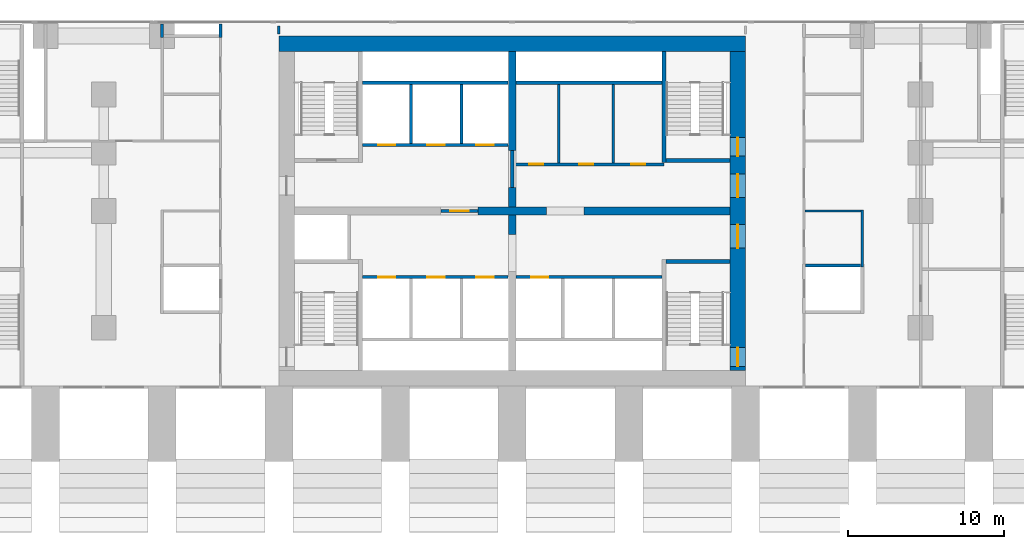
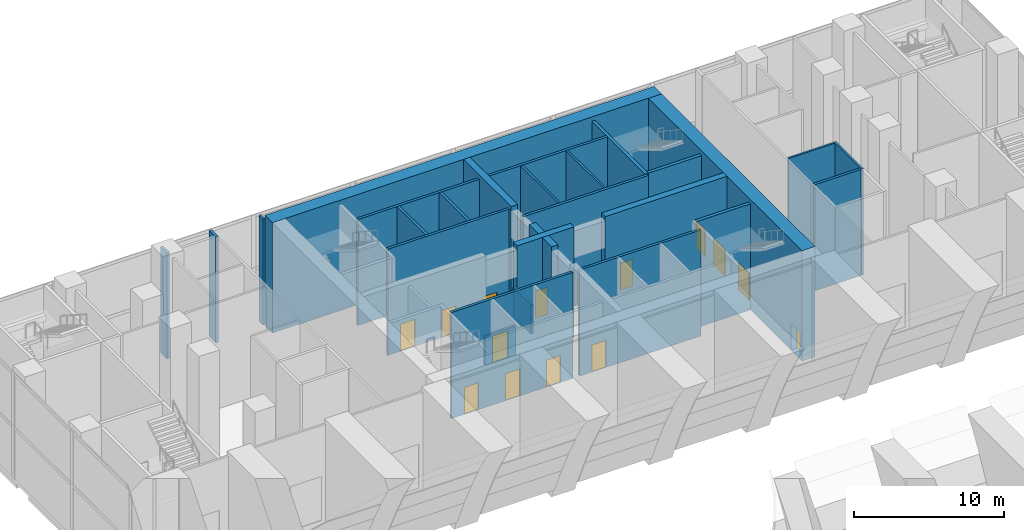
# One storey, part 7 of 14: 28 walls, 15 doors, 15 openings.
"""IFC4 building model written with IfcOpenShell, lengths in metres."""

from ifc_helpers import new_model, si_unit, direction, frame, frame_2d, origin, place, context, subcontext, project, spatial, rectangle, extrude, material, layer, layer_set, type_object, element, fill, save


model = new_model("IFC4")

# Units and contexts
model_context = context("Model", 3, precision=1e-05, world=origin(), true_north=direction((0.0, 1.0)))
body_context = subcontext(model_context, "Body", "Model", "MODEL_VIEW")
ifc_project = project(units=[si_unit("LENGTHUNIT", "METRE"), si_unit("AREAUNIT", "SQUARE_METRE"), si_unit("VOLUMEUNIT", "CUBIC_METRE"), si_unit("PLANEANGLEUNIT", "RADIAN"), si_unit("MASSUNIT", "GRAM", prefix="KILO")], contexts=[model_context])

# Site, building, storey
site_placement = place(None, origin())
site = spatial("IfcSite", under=ifc_project, at=site_placement, CompositionType="ELEMENT")
building_placement = place(site_placement, origin())
building = spatial("IfcBuilding", under=site, at=building_placement, Name="Pilkhan Gate Tower", CompositionType="ELEMENT")
storey_placement = place(building_placement, frame((0.0, 0.0, 7.5)))
storey = spatial("IfcBuildingStorey", under=building, at=storey_placement, Name="L01", CompositionType="ELEMENT", Elevation=7.5)

# Wall, openings, doors
ifc_material_1 = material(Name="Concrete C70/85", Category="concrete")
ifc_layer_1 = layer(ifc_material_1, 1.0)
ifc_layer_set_1 = layer_set([ifc_layer_1], Name="Core wall CW1000 C70/85")
wall_type_1 = type_object("IfcWallType", Name="Core wall CW1000 C70/85", PredefinedType="SHEAR", material=ifc_layer_set_1)
wall_1_placement = place(storey_placement, frame((89.5, 72.25, 0.0), z_axis=(0.0, 0.0, 1.0), x_axis=(0.0, 1.0, 0.0)))
wall_1 = element("IfcWall", 1, at=wall_1_placement, inside=storey, type_object=wall_type_1, Name="Core wall E L01", PredefinedType="SHEAR", context=body_context, shape_type="SweptSolid", body=[
    extrude(rectangle(XDim=20.5, YDim=1.0, at=frame_2d((10.25, 0.0))), origin(), (0.0, 0.0, 1.0), 9.0),
])
opening_1_placement = place(wall_1_placement, frame((0.27490234375, 0.0, 0.0)))
opening_1 = element("IfcOpeningElement", 2, at=opening_1_placement, cuts=wall_1, Name="Opening L01-03", PredefinedType="OPENING", context=body_context, shape_type="SweptSolid", body=[
    extrude(rectangle(XDim=1.199951171875, YDim=2.199951171875, at=frame_2d((0.60009765625, 1.10009765625))), frame((0.0, 0.510009765625, 0.0), z_axis=(0.0, -1.0, 0.0), x_axis=(1.0, 0.0, 0.0)), (0.0, 0.0, 1.0), 1.02001953125),
])
opening_2_placement = place(wall_1_placement, frame((13.77490234375, 0.0, 0.0)))
opening_2 = element("IfcOpeningElement", 3, at=opening_2_placement, cuts=wall_1, Name="Opening L01-05", PredefinedType="OPENING", context=body_context, shape_type="SweptSolid", body=[
    extrude(rectangle(XDim=1.199951171875, YDim=2.199951171875, at=frame_2d((0.60009765625, 1.10009765625))), frame((0.0, 0.510009765625, 0.0), z_axis=(0.0, -1.0, 0.0), x_axis=(1.0, 0.0, 0.0)), (0.0, 0.0, 1.0), 1.02001953125),
])
opening_3_placement = place(wall_1_placement, frame((7.875, 0.0, 0.0)))
opening_3 = element("IfcOpeningElement", 4, at=opening_3_placement, cuts=wall_1, Name="Opening L01-17", PredefinedType="OPENING", context=body_context, shape_type="SweptSolid", body=[
    extrude(rectangle(XDim=1.5, YDim=2.199951171875, at=frame_2d((0.75, 1.10009765625))), frame((0.0, 0.510009765625, 0.0), z_axis=(0.0, -1.0, 0.0), x_axis=(1.0, 0.0, 0.0)), (0.0, 0.0, 1.0), 1.02001953125),
])
opening_4_placement = place(wall_1_placement, frame((11.125, 0.0, 0.0)))
opening_4 = element("IfcOpeningElement", 5, at=opening_4_placement, cuts=wall_1, Name="Opening L01-19", PredefinedType="OPENING", context=body_context, shape_type="SweptSolid", body=[
    extrude(rectangle(XDim=1.5, YDim=2.199951171875, at=frame_2d((0.75, 1.10009765625))), frame((0.0, 0.510009765625, 0.0), z_axis=(0.0, -1.0, 0.0), x_axis=(1.0, 0.0, 0.0)), (0.0, 0.0, 1.0), 1.02001953125),
])
ifc_material_2 = material(Name="Steel framed glazed door, 60 minute fire resisting", Category="steel")
door_type_1 = type_object("IfcDoorType", Name="Lobby door D09 1500x2200", OperationType="DOUBLE_DOOR_SINGLE_SWING", PredefinedType="DOOR", material=ifc_material_2)
door_1_placement = place(opening_3_placement, origin())
door_1 = element("IfcDoor", 6, at=door_1_placement, inside=storey, type_object=door_type_1, Name="Core door", OperationType="DOUBLE_DOOR_SINGLE_SWING", OverallHeight=2.199951171875, OverallWidth=1.5, PredefinedType="DOOR", context=body_context, shape_type="SweptSolid", body=[
    extrude(rectangle(XDim=1.5, YDim=2.199951171875, at=frame_2d((0.75, 1.10009765625))), frame((0.0, 0.02490234375, 0.0), z_axis=(0.0, -1.0, 0.0), x_axis=(1.0, 0.0, 0.0)), (0.0, 0.0, 1.0), 0.050048828125),
])
fill(opening_3, door_1)
door_2_placement = place(opening_4_placement, origin())
door_2 = element("IfcDoor", 7, at=door_2_placement, inside=storey, type_object=door_type_1, Name="Core door", OperationType="DOUBLE_DOOR_SINGLE_SWING", OverallHeight=2.199951171875, OverallWidth=1.5, PredefinedType="DOOR", context=body_context, shape_type="SweptSolid", body=[
    extrude(rectangle(XDim=1.5, YDim=2.199951171875, at=frame_2d((0.75, 1.10009765625))), frame((0.0, 0.02490234375, 0.0), z_axis=(0.0, -1.0, 0.0), x_axis=(1.0, 0.0, 0.0)), (0.0, 0.0, 1.0), 0.050048828125),
])
fill(opening_4, door_2)
ifc_material_3 = material(Name="Steel door, 120 minute fire resisting, panic bar", Category="steel")
door_type_2 = type_object("IfcDoorType", Name="Stair door D11 1200x2200", OperationType="SINGLE_SWING_LEFT", PredefinedType="DOOR", material=ifc_material_3)
door_3_placement = place(opening_1_placement, origin())
door_3 = element("IfcDoor", 8, at=door_3_placement, inside=storey, type_object=door_type_2, Name="Stair ST1 door", OperationType="SINGLE_SWING_RIGHT", OverallHeight=2.199951171875, OverallWidth=1.199951171875, PredefinedType="DOOR", context=body_context, shape_type="SweptSolid", body=[
    extrude(rectangle(XDim=1.199951171875, YDim=2.199951171875, at=frame_2d((0.60009765625, 1.10009765625))), frame((0.0, 0.02490234375, 0.0), z_axis=(0.0, -1.0, 0.0), x_axis=(1.0, 0.0, 0.0)), (0.0, 0.0, 1.0), 0.050048828125),
])
fill(opening_1, door_3)
door_4_placement = place(opening_2_placement, origin())
door_4 = element("IfcDoor", 9, at=door_4_placement, inside=storey, type_object=door_type_2, Name="Stair ST4 door", OperationType="SINGLE_SWING_RIGHT", OverallHeight=2.199951171875, OverallWidth=1.199951171875, PredefinedType="DOOR", context=body_context, shape_type="SweptSolid", body=[
    extrude(rectangle(XDim=1.199951171875, YDim=2.199951171875, at=frame_2d((0.60009765625, 1.10009765625))), frame((0.0, 0.02490234375, 0.0), z_axis=(0.0, -1.0, 0.0), x_axis=(1.0, 0.0, 0.0)), (0.0, 0.0, 1.0), 0.050048828125),
])
fill(opening_2, door_4)

# Wall
wall_2_placement = place(storey_placement, frame((90.0, 93.25, 0.0), z_axis=(0.0, 0.0, 1.0), x_axis=(-1.0, 0.0, 0.0)))
element("IfcWall", 10, at=wall_2_placement, inside=storey, type_object=wall_type_1, Name="Core wall N L01", PredefinedType="SHEAR", context=body_context, shape_type="SweptSolid", body=[
    extrude(rectangle(XDim=30.0, YDim=1.0, at=frame_2d((15.0, 0.0))), origin(), (0.0, 0.0, 1.0), 9.0),
])

# Wall, opening, door
ifc_material_4 = material(Name="Dense blockwork", Category="masonry")
ifc_layer_2 = layer(ifc_material_4, 0.199951171875)
ifc_layer_set_2 = layer_set([ifc_layer_2], Name="Lobby wall LW200")
wall_type_2 = type_object("IfcWallType", Name="Lobby wall LW200", PredefinedType="PARTITIONING", material=ifc_layer_set_2)
wall_3_placement = place(storey_placement, frame((70.409912109375, 82.5, 0.0), z_axis=(0.0, 0.0, 1.0), x_axis=(1.0, 0.0, 0.0)))
wall_3 = element("IfcWall", 11, at=wall_3_placement, inside=storey, type_object=wall_type_2, Name="Partition L01", PredefinedType="PARTITIONING", context=body_context, shape_type="SweptSolid", body=[
    extrude(rectangle(XDim=2.380126953125, YDim=0.199951171875, at=frame_2d((1.18994140625, 0.0))), origin(), (0.0, 0.0, 1.0), 2.39990234375),
])
opening_5_placement = place(wall_3_placement, frame((0.60009765625, 0.0, 0.0)))
opening_5 = element("IfcOpeningElement", 12, at=opening_5_placement, cuts=wall_3, Name="Opening L01-01", PredefinedType="OPENING", context=body_context, shape_type="SweptSolid", body=[
    extrude(rectangle(XDim=1.199951171875, YDim=2.199951171875, at=frame_2d((0.60009765625, 1.10009765625))), frame((0.0, 0.10986328125, 0.0), z_axis=(0.0, -1.0, 0.0), x_axis=(1.0, 0.0, 0.0)), (0.0, 0.0, 1.0), 0.219970703125),
])
ifc_material_5 = material(Name="Steel door, 120 minute fire resisting, self-closing", Category="steel")
door_type_3 = type_object("IfcDoorType", Name="Firefighting lobby door D10 1200x2200", OperationType="SINGLE_SWING_LEFT", PredefinedType="DOOR", material=ifc_material_5)
door_5_placement = place(opening_5_placement, origin())
door_5 = element("IfcDoor", 13, at=door_5_placement, inside=storey, type_object=door_type_3, Name="Firefighting lobby door", OperationType="SINGLE_SWING_RIGHT", OverallHeight=2.199951171875, OverallWidth=1.199951171875, PredefinedType="DOOR", context=body_context, shape_type="SweptSolid", body=[
    extrude(rectangle(XDim=1.199951171875, YDim=2.199951171875, at=frame_2d((0.60009765625, 1.10009765625))), frame((0.0, 0.02490234375, 0.0), z_axis=(0.0, -1.0, 0.0), x_axis=(1.0, 0.0, 0.0)), (0.0, 0.0, 1.0), 0.050048828125),
])
fill(opening_5, door_5)

# Wall, openings, doors
wall_4_placement = place(storey_placement, frame((75.10009765625, 85.5, 0.0), z_axis=(0.0, 0.0, 1.0), x_axis=(1.0, 0.0, 0.0)))
wall_4 = element("IfcWall", 14, at=wall_4_placement, inside=storey, type_object=wall_type_2, Name="Partition L01", PredefinedType="PARTITIONING", context=body_context, shape_type="SweptSolid", body=[
    extrude(rectangle(XDim=9.64990234375, YDim=0.199951171875, at=frame_2d((4.824951171875, 0.0))), origin(), (0.0, 0.0, 1.0), 8.64990234375),
])
opening_6_placement = place(wall_4_placement, frame((1.0, 0.0, 0.0)))
opening_6 = element("IfcOpeningElement", 15, at=opening_6_placement, cuts=wall_4, Name="Opening L01-20", PredefinedType="OPENING", context=body_context, shape_type="SweptSolid", body=[
    extrude(rectangle(XDim=0.89990234375, YDim=2.199951171875, at=frame_2d((0.449951171875, 1.10009765625))), frame((0.0, 0.10986328125, 0.0), z_axis=(0.0, -1.0, 0.0), x_axis=(1.0, 0.0, 0.0)), (0.0, 0.0, 1.0), 0.219970703125),
])
opening_7_placement = place(wall_4_placement, frame((4.199951171875, 0.0, 0.0)))
opening_7 = element("IfcOpeningElement", 16, at=opening_7_placement, cuts=wall_4, Name="Opening L01-21", PredefinedType="OPENING", context=body_context, shape_type="SweptSolid", body=[
    extrude(rectangle(XDim=0.89990234375, YDim=2.199951171875, at=frame_2d((0.449951171875, 1.10009765625))), frame((0.0, 0.10986328125, 0.0), z_axis=(0.0, -1.0, 0.0), x_axis=(1.0, 0.0, 0.0)), (0.0, 0.0, 1.0), 0.219970703125),
])
opening_8_placement = place(wall_4_placement, frame((7.550048828125, 0.0, 0.0)))
opening_8 = element("IfcOpeningElement", 17, at=opening_8_placement, cuts=wall_4, Name="Opening L01-22", PredefinedType="OPENING", context=body_context, shape_type="SweptSolid", body=[
    extrude(rectangle(XDim=0.89990234375, YDim=2.199951171875, at=frame_2d((0.449951171875, 1.10009765625))), frame((0.0, 0.10986328125, 0.0), z_axis=(0.0, -1.0, 0.0), x_axis=(1.0, 0.0, 0.0)), (0.0, 0.0, 1.0), 0.219970703125),
])
ifc_material_6 = material(Name="Timber flush door, 60 minute fire resisting, self-closing", Category="wood")
door_type_4 = type_object("IfcDoorType", Name="Store door D05 900x2200", OperationType="SINGLE_SWING_LEFT", PredefinedType="DOOR", material=ifc_material_6)
door_6_placement = place(opening_7_placement, origin())
door_6 = element("IfcDoor", 18, at=door_6_placement, inside=storey, type_object=door_type_4, Name="Store door", OperationType="SINGLE_SWING_LEFT", OverallHeight=2.199951171875, OverallWidth=0.89990234375, PredefinedType="DOOR", context=body_context, shape_type="SweptSolid", body=[
    extrude(rectangle(XDim=0.89990234375, YDim=2.199951171875, at=frame_2d((0.449951171875, 1.10009765625))), frame((0.0, 0.02490234375, 0.0), z_axis=(0.0, -1.0, 0.0), x_axis=(1.0, 0.0, 0.0)), (0.0, 0.0, 1.0), 0.050048828125),
])
fill(opening_7, door_6)
door_7_placement = place(opening_8_placement, origin())
door_7 = element("IfcDoor", 19, at=door_7_placement, inside=storey, type_object=door_type_4, Name="Store door", OperationType="SINGLE_SWING_LEFT", OverallHeight=2.199951171875, OverallWidth=0.89990234375, PredefinedType="DOOR", context=body_context, shape_type="SweptSolid", body=[
    extrude(rectangle(XDim=0.89990234375, YDim=2.199951171875, at=frame_2d((0.449951171875, 1.10009765625))), frame((0.0, 0.02490234375, 0.0), z_axis=(0.0, -1.0, 0.0), x_axis=(1.0, 0.0, 0.0)), (0.0, 0.0, 1.0), 0.050048828125),
])
fill(opening_8, door_7)
ifc_material_7 = material(Name="Timber flush door, 30 minute fire resisting", Category="wood")
door_type_5 = type_object("IfcDoorType", Name="Toilet door D06 900x2200", OperationType="SINGLE_SWING_LEFT", PredefinedType="DOOR", material=ifc_material_7)
door_8_placement = place(opening_6_placement, origin())
door_8 = element("IfcDoor", 20, at=door_8_placement, inside=storey, type_object=door_type_5, Name="Toilet door", OperationType="SINGLE_SWING_RIGHT", OverallHeight=2.199951171875, OverallWidth=0.89990234375, PredefinedType="DOOR", context=body_context, shape_type="SweptSolid", body=[
    extrude(rectangle(XDim=0.89990234375, YDim=2.199951171875, at=frame_2d((0.449951171875, 1.10009765625))), frame((0.0, 0.02490234375, 0.0), z_axis=(0.0, -1.0, 0.0), x_axis=(1.0, 0.0, 0.0)), (0.0, 0.0, 1.0), 0.050048828125),
])
fill(opening_6, door_8)

# Walls
wall_5_placement = place(storey_placement, frame((75.260009765625, 90.75, 0.0), z_axis=(0.0, 0.0, 1.0), x_axis=(1.0, 0.0, 0.0)))
element("IfcWall", 21, at=wall_5_placement, inside=storey, type_object=wall_type_2, Name="Partition L01", PredefinedType="PARTITIONING", context=body_context, shape_type="SweptSolid", body=[
    extrude(rectangle(XDim=9.364990234375, YDim=0.199951171875, at=frame_2d((4.6826171875, 0.0))), origin(), (0.0, 0.0, 1.0), 8.64990234375),
])
for number, where, z_axis, x_axis, name in (
    (22, (52.5, 93.64990234375, 0.0), (0.0, 0.0, 1.0), (0.0, 1.0, 0.0), "Partition L01"),
    (23, (56.25, 93.64990234375, 0.0), (0.0, 0.0, 1.0), (0.0, 1.0, 0.0), "Partition L01"),
):
    element("IfcWall", number, at=place(storey_placement, frame(where, z_axis=z_axis, x_axis=x_axis)), inside=storey, type_object=wall_type_2, Name=name, PredefinedType="PARTITIONING", context=body_context, shape_type="SweptSolid", body=[
        extrude(rectangle(XDim=0.864990234375, YDim=0.199951171875, at=frame_2d((0.4326171875, 0.0))), origin(), (0.0, 0.0, 1.0), 8.64990234375),
    ])
wall_6_placement = place(storey_placement, frame((75.0, 84.010009765625, 0.0), z_axis=(0.0, 0.0, 1.0), x_axis=(0.0, 1.0, 0.0)))
element("IfcWall", 24, at=wall_6_placement, inside=storey, type_object=wall_type_2, Name="Partition L01", PredefinedType="PARTITIONING", context=body_context, shape_type="SweptSolid", body=[
    extrude(rectangle(XDim=2.3798828125, YDim=0.199951171875, at=frame_2d((1.18994140625, 0.0))), origin(), (0.0, 0.0, 1.0), 2.39990234375),
])
ifc_material_8 = material(Name="Blockwork partition, plastered both sides", Category="masonry")
ifc_layer_3 = layer(ifc_material_8, 0.14990234375)
ifc_layer_set_3 = layer_set([ifc_layer_3], Name="Partition PW150")
wall_type_3 = type_object("IfcWallType", Name="Partition PW150", PredefinedType="PARTITIONING", material=ifc_layer_set_3)
wall_7_placement = place(storey_placement, frame((93.824951171875, 82.5, 0.0), z_axis=(0.0, 0.0, 1.0), x_axis=(1.0, 0.0, 0.0)))
element("IfcWall", 25, at=wall_7_placement, inside=storey, type_object=wall_type_3, Name="Partition L01", PredefinedType="PARTITIONING", context=body_context, shape_type="SweptSolid", body=[
    extrude(rectangle(XDim=3.60009765625, YDim=0.14990234375, at=frame_2d((1.800048828125, 0.0))), origin(), (0.0, 0.0, 1.0), 8.64990234375),
])
wall_8_placement = place(storey_placement, frame((60.0, 93.8701171875, 0.0), z_axis=(0.0, 0.0, 1.0), x_axis=(0.0, 1.0, 0.0)))
element("IfcWall", 26, at=wall_8_placement, inside=storey, type_object=wall_type_3, Name="Partition L01", PredefinedType="PARTITIONING", context=body_context, shape_type="SweptSolid", body=[
    extrude(rectangle(XDim=0.52490234375, YDim=0.14990234375, at=frame_2d((0.262451171875, 0.0))), origin(), (0.0, 0.0, 1.0), 8.64990234375),
])
for number, where, z_axis, x_axis, name in (
    (27, (78.0, 85.60009765625, 0.0), (0.0, 0.0, 1.0), (0.0, 1.0, 0.0), "Partition L01"),
    (28, (81.5, 85.60009765625, 0.0), (0.0, 0.0, 1.0), (0.0, 1.0, 0.0), "Partition L01"),
):
    element("IfcWall", number, at=place(storey_placement, frame(where, z_axis=z_axis, x_axis=x_axis)), inside=storey, type_object=wall_type_3, Name=name, PredefinedType="PARTITIONING", context=body_context, shape_type="SweptSolid", body=[
        extrude(rectangle(XDim=5.0498046875, YDim=0.14990234375, at=frame_2d((2.52490234375, 0.0))), origin(), (0.0, 0.0, 1.0), 8.64990234375),
    ])
wall_9_placement = place(storey_placement, frame((97.5, 78.89990234375, 0.0), z_axis=(0.0, 0.0, 1.0), x_axis=(0.0, 1.0, 0.0)))
element("IfcWall", 29, at=wall_9_placement, inside=storey, type_object=wall_type_3, Name="Partition L01", PredefinedType="PARTITIONING", context=body_context, shape_type="SweptSolid", body=[
    extrude(rectangle(XDim=3.675048828125, YDim=0.14990234375, at=frame_2d((1.83740234375, 0.0))), origin(), (0.0, 0.0, 1.0), 8.64990234375),
])

# Wall, openings, doors
ifc_material_9 = material(Name="Reinforced blockwork shaft wall, 120 minute fire resisting", Category="masonry")
ifc_layer_4 = layer(ifc_material_9, 0.199951171875)
ifc_layer_set_4 = layer_set([ifc_layer_4], Name="Shaft wall SW200")
wall_type_4 = type_object("IfcWallType", Name="Shaft wall SW200", PredefinedType="PARTITIONING", material=ifc_layer_set_4)
wall_10_placement = place(storey_placement, frame((65.375, 78.25, 0.0), z_axis=(0.0, 0.0, 1.0), x_axis=(1.0, 0.0, 0.0)))
wall_10 = element("IfcWall", 30, at=wall_10_placement, inside=storey, type_object=wall_type_4, Name="Partition L01", PredefinedType="PARTITIONING", context=body_context, shape_type="SweptSolid", body=[
    extrude(rectangle(XDim=9.364990234375, YDim=0.199951171875, at=frame_2d((4.6826171875, 0.0))), origin(), (0.0, 0.0, 1.0), 8.64990234375),
])
opening_9_placement = place(wall_10_placement, frame((1.0, 0.0, 0.0)))
opening_9 = element("IfcOpeningElement", 31, at=opening_9_placement, cuts=wall_10, Name="Opening LD", PredefinedType="OPENING", context=body_context, shape_type="SweptSolid", body=[
    extrude(rectangle(XDim=1.10009765625, YDim=2.199951171875, at=frame_2d((0.550048828125, 1.10009765625))), frame((0.0, 0.10986328125, 0.0), z_axis=(0.0, -1.0, 0.0), x_axis=(1.0, 0.0, 0.0)), (0.0, 0.0, 1.0), 0.219970703125),
])
opening_10_placement = place(wall_10_placement, frame((4.175048828125, 0.0, 0.0)))
opening_10 = element("IfcOpeningElement", 32, at=opening_10_placement, cuts=wall_10, Name="Opening LD", PredefinedType="OPENING", context=body_context, shape_type="SweptSolid", body=[
    extrude(rectangle(XDim=1.10009765625, YDim=2.199951171875, at=frame_2d((0.550048828125, 1.10009765625))), frame((0.0, 0.10986328125, 0.0), z_axis=(0.0, -1.0, 0.0), x_axis=(1.0, 0.0, 0.0)), (0.0, 0.0, 1.0), 0.219970703125),
])
opening_11_placement = place(wall_10_placement, frame((7.324951171875, 0.0, 0.0)))
opening_11 = element("IfcOpeningElement", 33, at=opening_11_placement, cuts=wall_10, Name="Opening LD", PredefinedType="OPENING", context=body_context, shape_type="SweptSolid", body=[
    extrude(rectangle(XDim=1.10009765625, YDim=2.199951171875, at=frame_2d((0.550048828125, 1.10009765625))), frame((0.0, 0.10986328125, 0.0), z_axis=(0.0, -1.0, 0.0), x_axis=(1.0, 0.0, 0.0)), (0.0, 0.0, 1.0), 0.219970703125),
])
ifc_material_10 = material(Name="Stainless steel centre-opening landing door, 120 minute fire resisting", Category="steel")
door_type_6 = type_object("IfcDoorType", Name="Lift landing door LD 1100x2200", OperationType="DOUBLE_DOOR_SLIDING", PredefinedType="DOOR", material=ifc_material_10)
door_9_placement = place(opening_9_placement, origin())
door_9 = element("IfcDoor", 34, at=door_9_placement, inside=storey, type_object=door_type_6, Name="Landing door LR1", OperationType="DOUBLE_DOOR_SLIDING", OverallHeight=2.199951171875, OverallWidth=1.10009765625, PredefinedType="DOOR", context=body_context, shape_type="SweptSolid", body=[
    extrude(rectangle(XDim=1.10009765625, YDim=2.199951171875, at=frame_2d((0.550048828125, 1.10009765625))), frame((0.0, 0.02490234375, 0.0), z_axis=(0.0, -1.0, 0.0), x_axis=(1.0, 0.0, 0.0)), (0.0, 0.0, 1.0), 0.050048828125),
])
fill(opening_9, door_9)
door_10_placement = place(opening_10_placement, origin())
door_10 = element("IfcDoor", 35, at=door_10_placement, inside=storey, type_object=door_type_6, Name="Landing door LR2", OperationType="DOUBLE_DOOR_SLIDING", OverallHeight=2.199951171875, OverallWidth=1.10009765625, PredefinedType="DOOR", context=body_context, shape_type="SweptSolid", body=[
    extrude(rectangle(XDim=1.10009765625, YDim=2.199951171875, at=frame_2d((0.550048828125, 1.10009765625))), frame((0.0, 0.02490234375, 0.0), z_axis=(0.0, -1.0, 0.0), x_axis=(1.0, 0.0, 0.0)), (0.0, 0.0, 1.0), 0.050048828125),
])
fill(opening_10, door_10)
door_11_placement = place(opening_11_placement, origin())
door_11 = element("IfcDoor", 36, at=door_11_placement, inside=storey, type_object=door_type_6, Name="Landing door LR3", OperationType="DOUBLE_DOOR_SLIDING", OverallHeight=2.199951171875, OverallWidth=1.10009765625, PredefinedType="DOOR", context=body_context, shape_type="SweptSolid", body=[
    extrude(rectangle(XDim=1.10009765625, YDim=2.199951171875, at=frame_2d((0.550048828125, 1.10009765625))), frame((0.0, 0.02490234375, 0.0), z_axis=(0.0, -1.0, 0.0), x_axis=(1.0, 0.0, 0.0)), (0.0, 0.0, 1.0), 0.050048828125),
])
fill(opening_11, door_11)

# Wall, opening, door
wall_11_placement = place(storey_placement, frame((75.260009765625, 78.25, 0.0), z_axis=(0.0, 0.0, 1.0), x_axis=(1.0, 0.0, 0.0)))
wall_11 = element("IfcWall", 37, at=wall_11_placement, inside=storey, type_object=wall_type_4, Name="Partition L01", PredefinedType="PARTITIONING", context=body_context, shape_type="SweptSolid", body=[
    extrude(rectangle(XDim=9.364990234375, YDim=0.199951171875, at=frame_2d((4.6826171875, 0.0))), origin(), (0.0, 0.0, 1.0), 8.64990234375),
])
opening_12_placement = place(wall_11_placement, frame((0.949951171875, 0.0, 0.0)))
opening_12 = element("IfcOpeningElement", 38, at=opening_12_placement, cuts=wall_11, Name="Opening LD", PredefinedType="OPENING", context=body_context, shape_type="SweptSolid", body=[
    extrude(rectangle(XDim=1.10009765625, YDim=2.199951171875, at=frame_2d((0.550048828125, 1.10009765625))), frame((0.0, 0.10986328125, 0.0), z_axis=(0.0, -1.0, 0.0), x_axis=(1.0, 0.0, 0.0)), (0.0, 0.0, 1.0), 0.219970703125),
])
door_12_placement = place(opening_12_placement, origin())
door_12 = element("IfcDoor", 39, at=door_12_placement, inside=storey, type_object=door_type_6, Name="Landing door LR4", OperationType="DOUBLE_DOOR_SLIDING", OverallHeight=2.199951171875, OverallWidth=1.10009765625, PredefinedType="DOOR", context=body_context, shape_type="SweptSolid", body=[
    extrude(rectangle(XDim=1.10009765625, YDim=2.199951171875, at=frame_2d((0.550048828125, 1.10009765625))), frame((0.0, 0.02490234375, 0.0), z_axis=(0.0, -1.0, 0.0), x_axis=(1.0, 0.0, 0.0)), (0.0, 0.0, 1.0), 0.050048828125),
])
fill(opening_12, door_12)

# Wall
wall_12_placement = place(storey_placement, frame((93.85009765625, 79.0, 0.0), z_axis=(0.0, 0.0, 1.0), x_axis=(1.0, 0.0, 0.0)))
element("IfcWall", 40, at=wall_12_placement, inside=storey, type_object=wall_type_4, Name="Partition L01", PredefinedType="PARTITIONING", context=body_context, shape_type="SweptSolid", body=[
    extrude(rectangle(XDim=3.5498046875, YDim=0.199951171875, at=frame_2d((1.77490234375, 0.0))), origin(), (0.0, 0.0, 1.0), 8.64990234375),
])

# Wall, openings, doors
wall_13_placement = place(storey_placement, frame((65.375, 86.75, 0.0), z_axis=(0.0, 0.0, 1.0), x_axis=(1.0, 0.0, 0.0)))
wall_13 = element("IfcWall", 41, at=wall_13_placement, inside=storey, type_object=wall_type_4, Name="Partition L01", PredefinedType="PARTITIONING", context=body_context, shape_type="SweptSolid", body=[
    extrude(rectangle(XDim=9.364990234375, YDim=0.199951171875, at=frame_2d((4.6826171875, 0.0))), origin(), (0.0, 0.0, 1.0), 8.64990234375),
])
opening_13_placement = place(wall_13_placement, frame((1.0, 0.0, 0.0)))
opening_13 = element("IfcOpeningElement", 42, at=opening_13_placement, cuts=wall_13, Name="Opening LD", PredefinedType="OPENING", context=body_context, shape_type="SweptSolid", body=[
    extrude(rectangle(XDim=1.10009765625, YDim=2.199951171875, at=frame_2d((0.550048828125, 1.10009765625))), frame((0.0, 0.10986328125, 0.0), z_axis=(0.0, -1.0, 0.0), x_axis=(1.0, 0.0, 0.0)), (0.0, 0.0, 1.0), 0.219970703125),
])
opening_14_placement = place(wall_13_placement, frame((4.175048828125, 0.0, 0.0)))
opening_14 = element("IfcOpeningElement", 43, at=opening_14_placement, cuts=wall_13, Name="Opening LD", PredefinedType="OPENING", context=body_context, shape_type="SweptSolid", body=[
    extrude(rectangle(XDim=1.10009765625, YDim=2.199951171875, at=frame_2d((0.550048828125, 1.10009765625))), frame((0.0, 0.10986328125, 0.0), z_axis=(0.0, -1.0, 0.0), x_axis=(1.0, 0.0, 0.0)), (0.0, 0.0, 1.0), 0.219970703125),
])
opening_15_placement = place(wall_13_placement, frame((7.324951171875, 0.0, 0.0)))
opening_15 = element("IfcOpeningElement", 44, at=opening_15_placement, cuts=wall_13, Name="Opening LD", PredefinedType="OPENING", context=body_context, shape_type="SweptSolid", body=[
    extrude(rectangle(XDim=1.10009765625, YDim=2.199951171875, at=frame_2d((0.550048828125, 1.10009765625))), frame((0.0, 0.10986328125, 0.0), z_axis=(0.0, -1.0, 0.0), x_axis=(1.0, 0.0, 0.0)), (0.0, 0.0, 1.0), 0.219970703125),
])
door_13_placement = place(opening_13_placement, origin())
door_13 = element("IfcDoor", 45, at=door_13_placement, inside=storey, type_object=door_type_6, Name="Landing door FF1", OperationType="DOUBLE_DOOR_SLIDING", OverallHeight=2.199951171875, OverallWidth=1.10009765625, PredefinedType="DOOR", context=body_context, shape_type="SweptSolid", body=[
    extrude(rectangle(XDim=1.10009765625, YDim=2.199951171875, at=frame_2d((0.550048828125, 1.10009765625))), frame((0.0, 0.02490234375, 0.0), z_axis=(0.0, -1.0, 0.0), x_axis=(1.0, 0.0, 0.0)), (0.0, 0.0, 1.0), 0.050048828125),
])
fill(opening_13, door_13)
door_14_placement = place(opening_14_placement, origin())
door_14 = element("IfcDoor", 46, at=door_14_placement, inside=storey, type_object=door_type_6, Name="Landing door FF2", OperationType="DOUBLE_DOOR_SLIDING", OverallHeight=2.199951171875, OverallWidth=1.10009765625, PredefinedType="DOOR", context=body_context, shape_type="SweptSolid", body=[
    extrude(rectangle(XDim=1.10009765625, YDim=2.199951171875, at=frame_2d((0.550048828125, 1.10009765625))), frame((0.0, 0.02490234375, 0.0), z_axis=(0.0, -1.0, 0.0), x_axis=(1.0, 0.0, 0.0)), (0.0, 0.0, 1.0), 0.050048828125),
])
fill(opening_14, door_14)
door_15_placement = place(opening_15_placement, origin())
door_15 = element("IfcDoor", 47, at=door_15_placement, inside=storey, type_object=door_type_6, Name="Landing door SV1", OperationType="DOUBLE_DOOR_SLIDING", OverallHeight=2.199951171875, OverallWidth=1.10009765625, PredefinedType="DOOR", context=body_context, shape_type="SweptSolid", body=[
    extrude(rectangle(XDim=1.10009765625, YDim=2.199951171875, at=frame_2d((0.550048828125, 1.10009765625))), frame((0.0, 0.02490234375, 0.0), z_axis=(0.0, -1.0, 0.0), x_axis=(1.0, 0.0, 0.0)), (0.0, 0.0, 1.0), 0.050048828125),
])
fill(opening_15, door_15)

# Walls
wall_14_placement = place(storey_placement, frame((65.375, 90.75, 0.0), z_axis=(0.0, 0.0, 1.0), x_axis=(1.0, 0.0, 0.0)))
element("IfcWall", 48, at=wall_14_placement, inside=storey, type_object=wall_type_4, Name="Partition L01", PredefinedType="PARTITIONING", context=body_context, shape_type="SweptSolid", body=[
    extrude(rectangle(XDim=9.364990234375, YDim=0.199951171875, at=frame_2d((4.6826171875, 0.0))), origin(), (0.0, 0.0, 1.0), 8.64990234375),
])
for number, where, z_axis, x_axis, name in (
    (49, (68.5, 86.85009765625, 0.0), (0.0, 0.0, 1.0), (0.0, 1.0, 0.0), "Partition L01"),
    (50, (71.75, 86.85009765625, 0.0), (0.0, 0.0, 1.0), (0.0, 1.0, 0.0), "Partition L01"),
):
    element("IfcWall", number, at=place(storey_placement, frame(where, z_axis=z_axis, x_axis=x_axis)), inside=storey, type_object=wall_type_4, Name=name, PredefinedType="PARTITIONING", context=body_context, shape_type="SweptSolid", body=[
        extrude(rectangle(XDim=3.7998046875, YDim=0.199951171875, at=frame_2d((1.89990234375, 0.0))), origin(), (0.0, 0.0, 1.0), 8.64990234375),
    ])
ifc_layer_5 = layer(ifc_material_1, 0.5)
ifc_layer_set_5 = layer_set([ifc_layer_5], Name="Spine wall SW500 C70/85")
wall_type_5 = type_object("IfcWallType", Name="Spine wall SW500 C70/85", PredefinedType="SHEAR", material=ifc_layer_set_5)
wall_15_placement = place(storey_placement, frame((72.800048828125, 82.5, 0.0), z_axis=(0.0, 0.0, 1.0), x_axis=(1.0, 0.0, 0.0)))
element("IfcWall", 51, at=wall_15_placement, inside=storey, type_object=wall_type_5, Name="Spine wall SP-EW2 L01", PredefinedType="SHEAR", context=body_context, shape_type="SweptSolid", body=[
    extrude(rectangle(XDim=4.39990234375, YDim=0.5, at=frame_2d((2.199951171875, 0.0))), origin(), (0.0, 0.0, 1.0), 9.0),
])
wall_16_placement = place(storey_placement, frame((79.60009765625, 82.5, 0.0), z_axis=(0.0, 0.0, 1.0), x_axis=(1.0, 0.0, 0.0)))
element("IfcWall", 52, at=wall_16_placement, inside=storey, type_object=wall_type_5, Name="Spine wall SP-EW3 L01", PredefinedType="SHEAR", context=body_context, shape_type="SweptSolid", body=[
    extrude(rectangle(XDim=9.39990234375, YDim=0.5, at=frame_2d((4.699951171875, 0.0))), origin(), (0.0, 0.0, 1.0), 9.0),
])
for number, where, z_axis, x_axis, name in (
    (53, (75.0, 81.0, 0.0), (0.0, 0.0, 1.0), (0.0, 1.0, 0.0), "Spine wall SP-NS-S2 L01"),
    (54, (75.0, 82.75, 0.0), (0.0, 0.0, 1.0), (0.0, 1.0, 0.0), "Spine wall SP-NS-N1 L01"),
):
    element("IfcWall", number, at=place(storey_placement, frame(where, z_axis=z_axis, x_axis=x_axis)), inside=storey, type_object=wall_type_5, Name=name, PredefinedType="SHEAR", context=body_context, shape_type="SweptSolid", body=[
        extrude(rectangle(XDim=1.25, YDim=0.5, at=frame_2d((0.625, 0.0))), origin(), (0.0, 0.0, 1.0), 9.0),
    ])
wall_17_placement = place(storey_placement, frame((75.0, 86.39990234375, 0.0), z_axis=(0.0, 0.0, 1.0), x_axis=(0.0, 1.0, 0.0)))
element("IfcWall", 55, at=wall_17_placement, inside=storey, type_object=wall_type_5, Name="Spine wall SP-NS-N2 L01", PredefinedType="SHEAR", context=body_context, shape_type="SweptSolid", body=[
    extrude(rectangle(XDim=6.35009765625, YDim=0.5, at=frame_2d((3.175048828125, 0.0))), origin(), (0.0, 0.0, 1.0), 9.0),
])
ifc_material_11 = material(Name="Reinforced blockwork, 120 minute fire resisting", Category="masonry")
ifc_layer_6 = layer(ifc_material_11, 0.25)
ifc_layer_set_6 = layer_set([ifc_layer_6], Name="Stair enclosure wall SE250")
wall_type_6 = type_object("IfcWallType", Name="Stair enclosure wall SE250", PredefinedType="PARTITIONING", material=ifc_layer_set_6)
for number, where, z_axis, x_axis, name in (
    (56, (84.875, 79.25, 0.0), (0.0, 0.0, 1.0), (1.0, 0.0, 0.0), "Partition L01"),
    (57, (84.875, 85.75, 0.0), (0.0, 0.0, 1.0), (1.0, 0.0, 0.0), "Partition L01"),
):
    element("IfcWall", number, at=place(storey_placement, frame(where, z_axis=z_axis, x_axis=x_axis)), inside=storey, type_object=wall_type_6, Name=name, PredefinedType="PARTITIONING", context=body_context, shape_type="SweptSolid", body=[
        extrude(rectangle(XDim=4.114990234375, YDim=0.25, at=frame_2d((2.0576171875, 0.0))), origin(), (0.0, 0.0, 1.0), 8.64990234375),
    ])
wall_18_placement = place(storey_placement, frame((84.75, 85.625, 0.0), z_axis=(0.0, 0.0, 1.0), x_axis=(0.0, 1.0, 0.0)))
element("IfcWall", 58, at=wall_18_placement, inside=storey, type_object=wall_type_6, Name="Partition L01", PredefinedType="PARTITIONING", context=body_context, shape_type="SweptSolid", body=[
    extrude(rectangle(XDim=7.114990234375, YDim=0.25, at=frame_2d((3.5576171875, 0.0))), origin(), (0.0, 0.0, 1.0), 8.64990234375),
])

save(model, "model.ifc")
